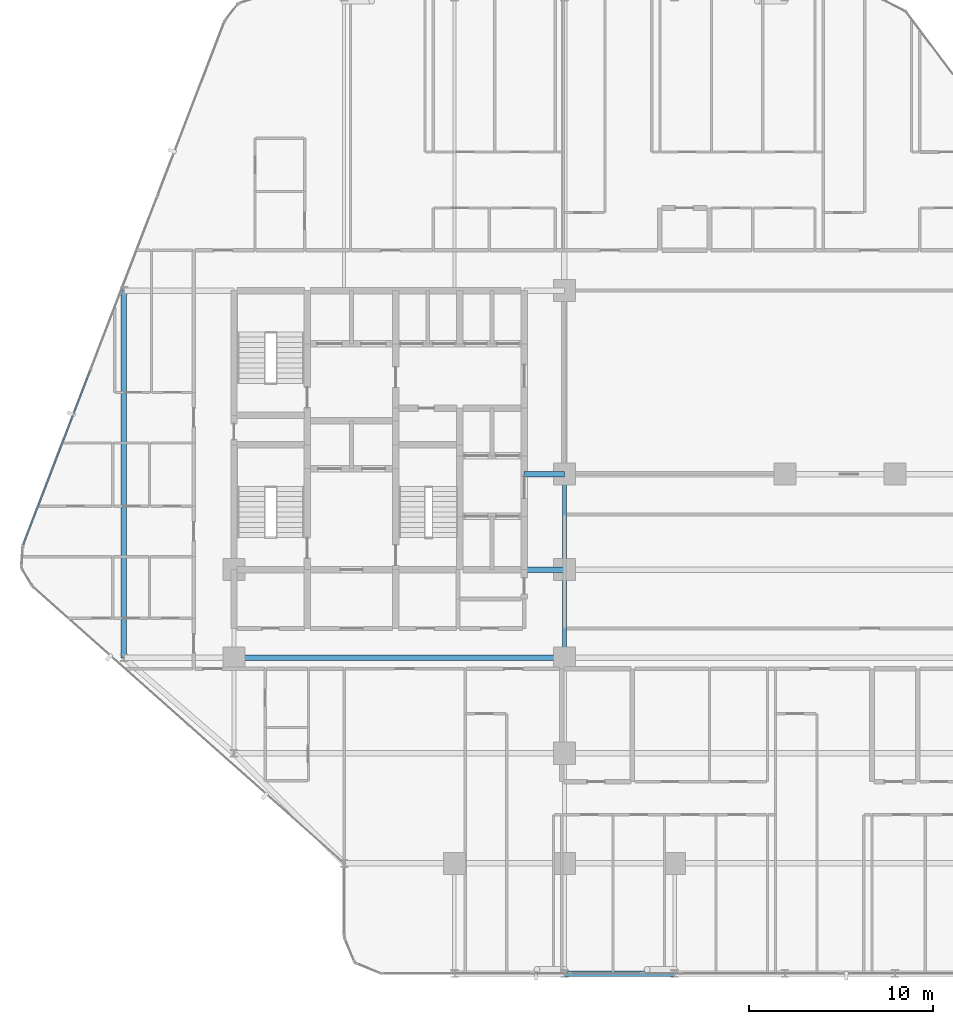
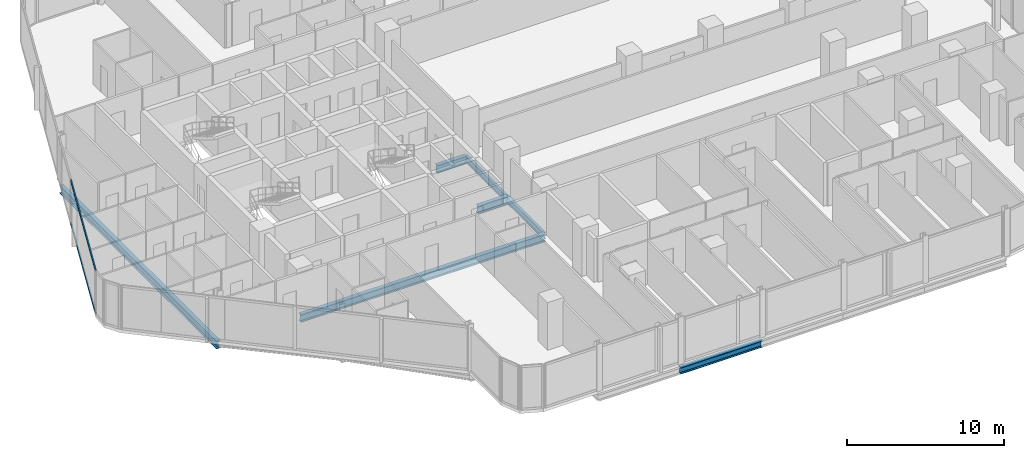
# One storey, part 7 of 34: 7 beams, 2 members, 1 element without a shape of its own.
"""IFC4 building model written with IfcOpenShell, lengths in metres."""

from ifc_helpers import new_model, si_unit, direction, frame, origin, origin_2d, place, context, subcontext, project, spatial, hollow_rectangle, i_section, extrude, material, layer, layer_set, material_profile, profile_set, type_object, element, aggregate, save


model = new_model("IFC4")

# Units and contexts
model_context = context("Model", 3, precision=1e-05, world=origin(), true_north=direction((0.0, 1.0)))
body_context = subcontext(model_context, "Body", "Model", "MODEL_VIEW")
ifc_project = project(units=[si_unit("LENGTHUNIT", "METRE"), si_unit("AREAUNIT", "SQUARE_METRE"), si_unit("VOLUMEUNIT", "CUBIC_METRE"), si_unit("PLANEANGLEUNIT", "RADIAN"), si_unit("MASSUNIT", "GRAM", prefix="KILO")], contexts=[model_context])

# Site, building, storey
site_placement = place(None, origin())
site = spatial("IfcSite", under=ifc_project, at=site_placement, CompositionType="ELEMENT")
building_placement = place(site_placement, origin())
building = spatial("IfcBuilding", under=site, at=building_placement, Name="Keshet Zoharim Tower", CompositionType="ELEMENT")
storey_placement = place(building_placement, frame((0.0, 0.0, 53.60009765625)))
storey = spatial("IfcBuildingStorey", under=building, at=storey_placement, Name="L12", CompositionType="ELEMENT", Elevation=53.60009765625)

# Beams
ifc_material_1 = material(Name="Steel S355", Category="steel")
ifc_material_profile_1 = material_profile(ifc_material_1, i_section(OverallWidth=0.300048828125, OverallDepth=0.60009765625, WebThickness=0.015380859375, FlangeThickness=0.030029296875, FilletRadius=0.027099609375, at=origin_2d()), Name="HEB600")
ifc_profile_set_1 = profile_set([ifc_material_profile_1], Name="Steel S355")
beam_type_1 = type_object("IfcBeamType", Name="BM-CLK-HB600", PredefinedType="BEAM", material=ifc_profile_set_1)
for number, where, z_axis, x_axis, name in (
    (1, (30.800048828125, 22.699951171875, -0.614990234375), (1.0, 0.0, 0.0), (0.0, 1.0, 0.0), "L12 Core Wall Link Girder 01"),
    (2, (30.800048828125, 27.89990234375, -0.614990234375), (1.0, 0.0, 0.0), (0.0, 1.0, 0.0), "L12 Core Wall Link Girder 02"),
):
    element("IfcBeam", number, at=place(storey_placement, frame(where, z_axis=z_axis, x_axis=x_axis)), inside=storey, type_object=beam_type_1, Name=name, PredefinedType="BEAM", context=body_context, shape_type="SweptSolid", body=[
        extrude(i_section(OverallWidth=0.300048828125, OverallDepth=0.60009765625, WebThickness=0.015380859375, FlangeThickness=0.030029296875, FilletRadius=0.027099609375, at=origin_2d()), origin(), (0.0, 0.0, 1.0), 2.199951171875),
    ])
ifc_material_profile_2 = material_profile(ifc_material_1, i_section(OverallWidth=0.300048828125, OverallDepth=0.60009765625, WebThickness=0.015380859375, FlangeThickness=0.030029296875, FilletRadius=0.027099609375, at=origin_2d()), Name="HEB600")
ifc_profile_set_2 = profile_set([ifc_material_profile_2], Name="Steel S355")
beam_type_2 = type_object("IfcBeamType", Name="BM-LNG-HB600", PredefinedType="BEAM", material=ifc_profile_set_2)
beam_1_placement = place(storey_placement, frame((15.0, 17.89990234375, -0.614990234375), z_axis=(1.0, 0.0, 0.0), x_axis=(0.0, 1.0, 0.0)))
element("IfcBeam", 3, at=beam_1_placement, inside=storey, type_object=beam_type_2, Name="L12 Primary Girder X-016", PredefinedType="BEAM", context=body_context, shape_type="SweptSolid", body=[
    extrude(i_section(OverallWidth=0.300048828125, OverallDepth=0.60009765625, WebThickness=0.015380859375, FlangeThickness=0.030029296875, FilletRadius=0.027099609375, at=origin_2d()), origin(), (0.0, 0.0, 1.0), 18.0),
])
beam_2_placement = place(storey_placement, frame((9.0, 17.89990234375, -0.614990234375), z_axis=(0.0, 1.0, 0.0), x_axis=(-1.0, 0.0, 0.0)))
element("IfcBeam", 4, at=beam_2_placement, inside=storey, type_object=beam_type_2, Name="L12 Primary Girder Y-001", PredefinedType="BEAM", context=body_context, shape_type="SweptSolid", body=[
    extrude(i_section(OverallWidth=0.300048828125, OverallDepth=0.60009765625, WebThickness=0.015380859375, FlangeThickness=0.030029296875, FilletRadius=0.027099609375, at=origin_2d()), origin(), (0.0, 0.0, 1.0), 20.0),
])
ifc_material_profile_3 = material_profile(ifc_material_1, i_section(OverallWidth=0.199951171875, OverallDepth=0.5, WebThickness=0.01025390625, FlangeThickness=0.01611328125, FilletRadius=0.02099609375, at=origin_2d()), Name="IPE500")
ifc_profile_set_3 = profile_set([ifc_material_profile_3], Name="Steel S355")
beam_type_3 = type_object("IfcBeamType", Name="BM-PRI-IP500", PredefinedType="BEAM", material=ifc_profile_set_3)
beam_3_placement = place(storey_placement, frame((33.0, 17.89990234375, -0.565185546875), z_axis=(0.0, 1.0, 0.0), x_axis=(-1.0, 0.0, 0.0)))
element("IfcBeam", 5, at=beam_3_placement, inside=storey, type_object=beam_type_3, Name="L12 Primary Girder Y-008", PredefinedType="BEAM", context=body_context, shape_type="SweptSolid", body=[
    extrude(i_section(OverallWidth=0.199951171875, OverallDepth=0.5, WebThickness=0.01025390625, FlangeThickness=0.01611328125, FilletRadius=0.02099609375, at=origin_2d()), origin(), (0.0, 0.0, 1.0), 4.800048828125),
])
beam_4_placement = place(storey_placement, frame((33.0, 22.699951171875, -0.565185546875), z_axis=(0.0, 1.0, 0.0), x_axis=(-1.0, 0.0, 0.0)))
element("IfcBeam", 6, at=beam_4_placement, inside=storey, type_object=beam_type_3, Name="L12 Primary Girder Y-009", PredefinedType="BEAM", context=body_context, shape_type="SweptSolid", body=[
    extrude(i_section(OverallWidth=0.199951171875, OverallDepth=0.5, WebThickness=0.01025390625, FlangeThickness=0.01611328125, FilletRadius=0.02099609375, at=origin_2d()), origin(), (0.0, 0.0, 1.0), 5.199951171875),
])
ifc_material_profile_4 = material_profile(ifc_material_1, i_section(OverallWidth=0.300048828125, OverallDepth=0.5, WebThickness=0.014404296875, FlangeThickness=0.028076171875, FilletRadius=0.027099609375, at=origin_2d()), Name="HEB500")
ifc_profile_set_4 = profile_set([ifc_material_profile_4], Name="Steel S355")
beam_type_4 = type_object("IfcBeamType", Name="BM-WEB-HB500", PredefinedType="BEAM", material=ifc_profile_set_4)
beam_5_placement = place(storey_placement, frame((33.0, 0.699951171875, -0.565185546875), z_axis=(1.0, 0.0, 0.0), x_axis=(0.0, 1.0, 0.0)))
element("IfcBeam", 7, at=beam_5_placement, inside=storey, type_object=beam_type_4, Name="L12 Primary Girder X-002", PredefinedType="BEAM", context=body_context, shape_type="SweptSolid", body=[
    extrude(i_section(OverallWidth=0.300048828125, OverallDepth=0.5, WebThickness=0.014404296875, FlangeThickness=0.028076171875, FilletRadius=0.027099609375, at=origin_2d()), origin(), (0.0, 0.0, 1.0), 6.0),
])

# Curtain wall, members
ifc_material_2 = material(Name="Aluminium 6063-T6", Category="aluminium")
ifc_layer = layer(ifc_material_2, 0.179931640625)
ifc_layer_set = layer_set([ifc_layer], Name="Aluminium 6063-T6")
curtain_wall_type = type_object("IfcCurtainWallType", Name="CW-SYS-01", PredefinedType="NOTDEFINED", material=ifc_layer_set)
curtain_wall_placement = place(storey_placement, origin())
curtain_wall = element("IfcCurtainWall", 8, at=curtain_wall_placement, inside=storey, type_object=curtain_wall_type, Name="L12 Unitised Curtain Wall 04", PredefinedType="NOTDEFINED")
ifc_material_profile_5 = material_profile(ifc_material_2, hollow_rectangle(XDim=0.0849609375, YDim=0.159912109375, WallThickness=0.00439453125, at=origin_2d()), Name="TRN-85x160")
ifc_profile_set_5 = profile_set([ifc_material_profile_5], Name="Aluminium 6063-T6")
member_type = type_object("IfcMemberType", Name="CWT-T16", PredefinedType="USERDEFINED", material=ifc_profile_set_5)
member_1_placement = place(storey_placement, frame((3.522216796875, 24.058349609375, 0.034912109375), z_axis=(0.358993631387, 0.93334000912, 0.0), x_axis=(-0.93334000912, 0.358993631387, 0.0)))
member_1 = element("IfcMember", 9, at=member_1_placement, type_object=member_type, Name="CW-01 transom 1.1", ObjectType="TRANSOM", PredefinedType="USERDEFINED", context=body_context, shape_type="SweptSolid", body=[
    extrude(hollow_rectangle(XDim=0.0849609375, YDim=0.159912109375, WallThickness=0.00439453125, at=origin_2d()), origin(), (0.0, 0.0, 1.0), 10.1181640625),
])
member_2_placement = place(storey_placement, frame((3.522216796875, 24.058349609375, 3.349853515625), z_axis=(0.358993631387, 0.93334000912, 0.0), x_axis=(-0.93334000912, 0.358993631387, 0.0)))
member_2 = element("IfcMember", 10, at=member_2_placement, type_object=member_type, Name="CW-01 transom 1.2", ObjectType="TRANSOM", PredefinedType="USERDEFINED", context=body_context, shape_type="SweptSolid", body=[
    extrude(hollow_rectangle(XDim=0.0849609375, YDim=0.159912109375, WallThickness=0.00439453125, at=origin_2d()), origin(), (0.0, 0.0, 1.0), 10.1181640625),
])
aggregate(curtain_wall, [member_1, member_2])

save(model, "model.ifc")
